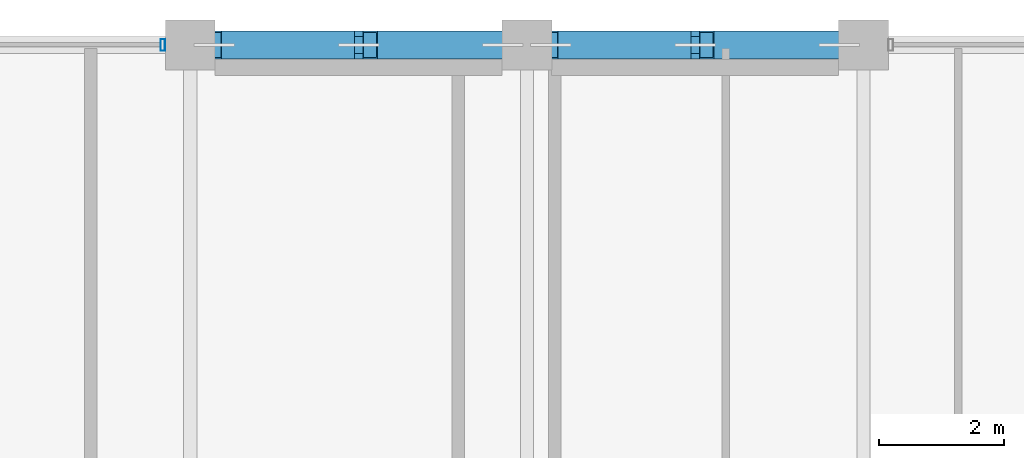
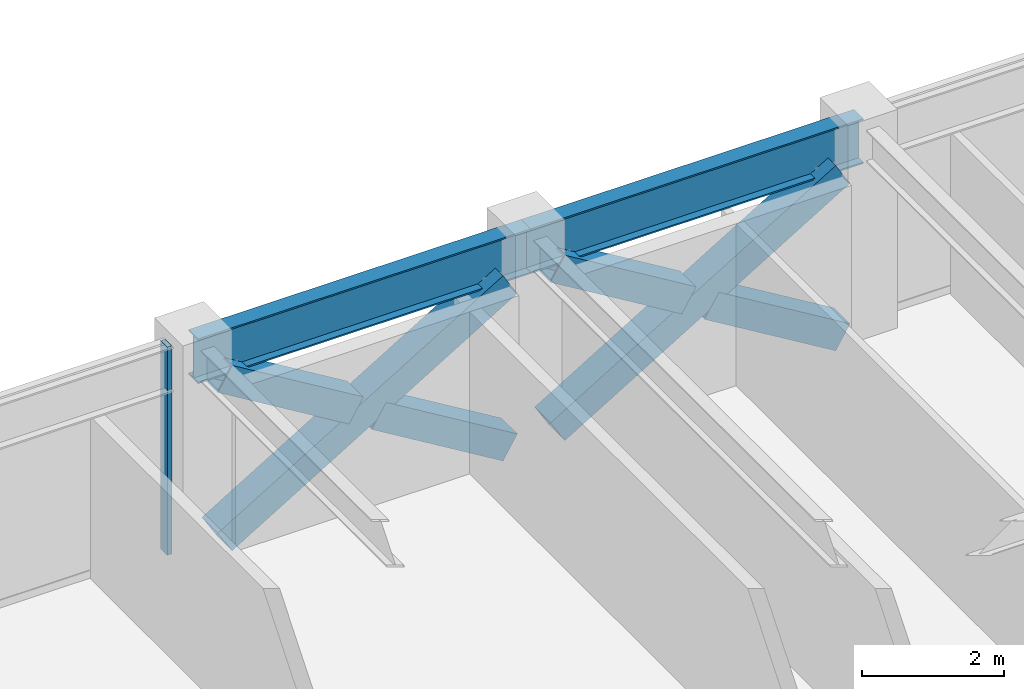
# One storey, part 21 of 32: 7 members, 2 beams, 1 element without a shape of its own.
"""IFC4 building model written with IfcOpenShell, lengths in metres."""

from ifc_helpers import new_model, si_unit, direction, frame, origin, origin_2d, place, context, subcontext, project, spatial, hollow_rectangle, i_section, extrude, material, layer, layer_set, material_profile, profile_set, type_object, element, aggregate, save


model = new_model("IFC4")

# Units and contexts
model_context = context("Model", 3, precision=1e-05, world=origin(), true_north=direction((0.0, 1.0)))
body_context = subcontext(model_context, "Body", "Model", "MODEL_VIEW")
ifc_project = project(units=[si_unit("LENGTHUNIT", "METRE"), si_unit("AREAUNIT", "SQUARE_METRE"), si_unit("VOLUMEUNIT", "CUBIC_METRE"), si_unit("PLANEANGLEUNIT", "RADIAN"), si_unit("MASSUNIT", "GRAM", prefix="KILO")], contexts=[model_context])

# Site, building, storey
site_placement = place(None, origin())
site = spatial("IfcSite", under=ifc_project, at=site_placement, CompositionType="ELEMENT")
building_placement = place(site_placement, origin())
building = spatial("IfcBuilding", under=site, at=building_placement, Name="Surkhivell Harbour Commons", CompositionType="ELEMENT")
storey_placement = place(building_placement, frame((0.0, 0.0, 216.0)))
storey = spatial("IfcBuildingStorey", under=building, at=storey_placement, Name="L56", CompositionType="ELEMENT", Elevation=216.0)

# Beams
ifc_material_1 = material(Name="Steel S355", Category="steel")
ifc_material_profile_1 = material_profile(ifc_material_1, i_section(OverallWidth=0.26806640625, OverallDepth=0.77001953125, WebThickness=0.015625, FlangeThickness=0.025390625, at=origin_2d()), Name="UB762x267x197")
ifc_profile_set_1 = profile_set([ifc_material_profile_1], Name="Steel S355")
beam_type = type_object("IfcBeamType", Name="BM-SPN-762", PredefinedType="SPANDREL", material=ifc_profile_set_1)
for number, where, z_axis, x_axis, name in (
    (1, (-5.39990234375, 25.89990234375, 3.18505859375), (1.0, 0.0, 0.0), (0.0, 1.0, 0.0), "L56 Tube Spandrel (-5.4,25.9)"),
    (2, (0.0, 25.89990234375, 3.18505859375), (1.0, 0.0, 0.0), (0.0, 1.0, 0.0), "L56 Tube Spandrel (-0.0,25.9)"),
):
    element("IfcBeam", number, at=place(storey_placement, frame(where, z_axis=z_axis, x_axis=x_axis)), inside=storey, type_object=beam_type, Name=name, PredefinedType="SPANDREL", context=body_context, shape_type="SweptSolid", body=[
        extrude(i_section(OverallWidth=0.26806640625, OverallDepth=0.77001953125, WebThickness=0.015625, FlangeThickness=0.025390625, at=origin_2d()), origin(), (0.0, 0.0, 1.0), 5.39990234375),
    ])

# Curtain wall, member
ifc_material_2 = material(Name="Anodised pale-metal aluminium and insulated glazing", Category="aluminium")
ifc_layer = layer(ifc_material_2, 0.18994140625)
ifc_layer_set = layer_set([ifc_layer], Name="Anodised pale-metal aluminium and insulated glazing")
curtain_wall_type = type_object("IfcCurtainWallType", Name="CW-SYS-Z3", PredefinedType="NOTDEFINED", material=ifc_layer_set)
curtain_wall_placement = place(storey_placement, origin())
curtain_wall = element("IfcCurtainWall", 3, at=curtain_wall_placement, inside=storey, type_object=curtain_wall_type, Name="L56 Curtain Wall CW-L56-E07S2", PredefinedType="NOTDEFINED")
ifc_material_3 = material(Name="Anodised pale-metal aluminium alloy 6063-T6", Category="aluminium")
ifc_material_profile_2 = material_profile(ifc_material_3, hollow_rectangle(XDim=0.074951171875, YDim=0.18994140625, WallThickness=0.00390625, at=origin_2d()), Name="ALU-MULL-75x190")
ifc_profile_set_2 = profile_set([ifc_material_profile_2], Name="Anodised pale-metal aluminium alloy 6063-T6")
member_type_1 = type_object("IfcMemberType", Name="CWM-190", PredefinedType="MULLION", material=ifc_profile_set_2)
member_1_placement = place(storey_placement, frame((-5.839599609375, 25.89990234375, 0.0), z_axis=(0.0, 0.0, 1.0), x_axis=(-1.0, 0.0, 0.0)))
member_1 = element("IfcMember", 4, at=member_1_placement, type_object=member_type_1, Name="CW-Z3 mullion 1", PredefinedType="MULLION", context=body_context, shape_type="SweptSolid", body=[
    extrude(hollow_rectangle(XDim=0.074951171875, YDim=0.18994140625, WallThickness=0.00390625, at=origin_2d()), origin(), (0.0, 0.0, 1.0), 3.570068359375),
])
aggregate(curtain_wall, [member_1])

# Members
ifc_material_4 = material(Name="Steel S460", Category="steel")
ifc_material_profile_3 = material_profile(ifc_material_4, hollow_rectangle(XDim=0.449951171875, YDim=0.449951171875, WallThickness=0.02197265625, at=origin_2d()), Name="SHS450x450x22")
ifc_profile_set_3 = profile_set([ifc_material_profile_3], Name="Steel S460")
member_type_2 = type_object("IfcMemberType", Name="MEM-BRC-SHS450", PredefinedType="BRACE", material=ifc_profile_set_3)
member_2_placement = place(storey_placement, frame((-5.014892578125, 25.89990234375, 0.008056640625), z_axis=(0.856023742961, 0.0, 0.516936506243), x_axis=(0.0, 1.0, 0.0)))
element("IfcMember", 5, at=member_2_placement, inside=storey, type_object=member_type_2, Name="L56 Perimeter Mega-Brace MB- 01", PredefinedType="BRACE", context=body_context, shape_type="SweptSolid", body=[
    extrude(hollow_rectangle(XDim=0.449951171875, YDim=0.449951171875, WallThickness=0.02197265625, at=origin_2d()), origin(), (0.0, 0.0, 1.0), 5.40869140625),
])
for number, where, z_axis, x_axis, name in (
    (6, (-0.385009765625, 25.89990234375, 0.008056640625), (-0.856061168755, 0.0, 0.516874525731), (0.0, -1.0, 0.0), "L56 Perimeter Mega-Brace MB- 02"),
    (7, (-2.885009765625, 25.89990234375, 1.517578125), (-0.855991532151, 0.0, 0.516989842149), (0.0, -1.0, 0.0), "L56 Perimeter Mega-Brace MB- 03"),
):
    element("IfcMember", number, at=place(storey_placement, frame(where, z_axis=z_axis, x_axis=x_axis)), inside=storey, type_object=member_type_2, Name=name, PredefinedType="BRACE", context=body_context, shape_type="SweptSolid", body=[
        extrude(hollow_rectangle(XDim=0.449951171875, YDim=0.449951171875, WallThickness=0.02197265625, at=origin_2d()), origin(), (0.0, 0.0, 1.0), 2.48828125),
    ])
member_3_placement = place(storey_placement, frame((0.385009765625, 25.89990234375, 0.008056640625), z_axis=(0.856023742961, 0.0, 0.516936506243), x_axis=(0.0, 1.0, 0.0)))
element("IfcMember", 8, at=member_3_placement, inside=storey, type_object=member_type_2, Name="L56 Perimeter Mega-Brace MB- 04", PredefinedType="BRACE", context=body_context, shape_type="SweptSolid", body=[
    extrude(hollow_rectangle(XDim=0.449951171875, YDim=0.449951171875, WallThickness=0.02197265625, at=origin_2d()), origin(), (0.0, 0.0, 1.0), 5.40869140625),
])
member_4_placement = place(storey_placement, frame((5.014892578125, 25.89990234375, 0.008056640625), z_axis=(-0.856034952881, 0.0, 0.516917942662), x_axis=(0.0, -1.0, 0.0)))
element("IfcMember", 9, at=member_4_placement, inside=storey, type_object=member_type_2, Name="L56 Perimeter Mega-Brace MB- 05", PredefinedType="BRACE", context=body_context, shape_type="SweptSolid", body=[
    extrude(hollow_rectangle(XDim=0.449951171875, YDim=0.449951171875, WallThickness=0.02197265625, at=origin_2d()), origin(), (0.0, 0.0, 1.0), 2.488037109375),
])
member_5_placement = place(storey_placement, frame((2.51513671875, 25.89990234375, 1.517578125), z_axis=(-0.856017753989, 0.0, 0.516946423584), x_axis=(0.0, -1.0, 0.0)))
element("IfcMember", 10, at=member_5_placement, inside=storey, type_object=member_type_2, Name="L56 Perimeter Mega-Brace MB- 06", PredefinedType="BRACE", context=body_context, shape_type="SweptSolid", body=[
    extrude(hollow_rectangle(XDim=0.449951171875, YDim=0.449951171875, WallThickness=0.02197265625, at=origin_2d()), origin(), (0.0, 0.0, 1.0), 2.488525390625),
])

save(model, "model.ifc")
